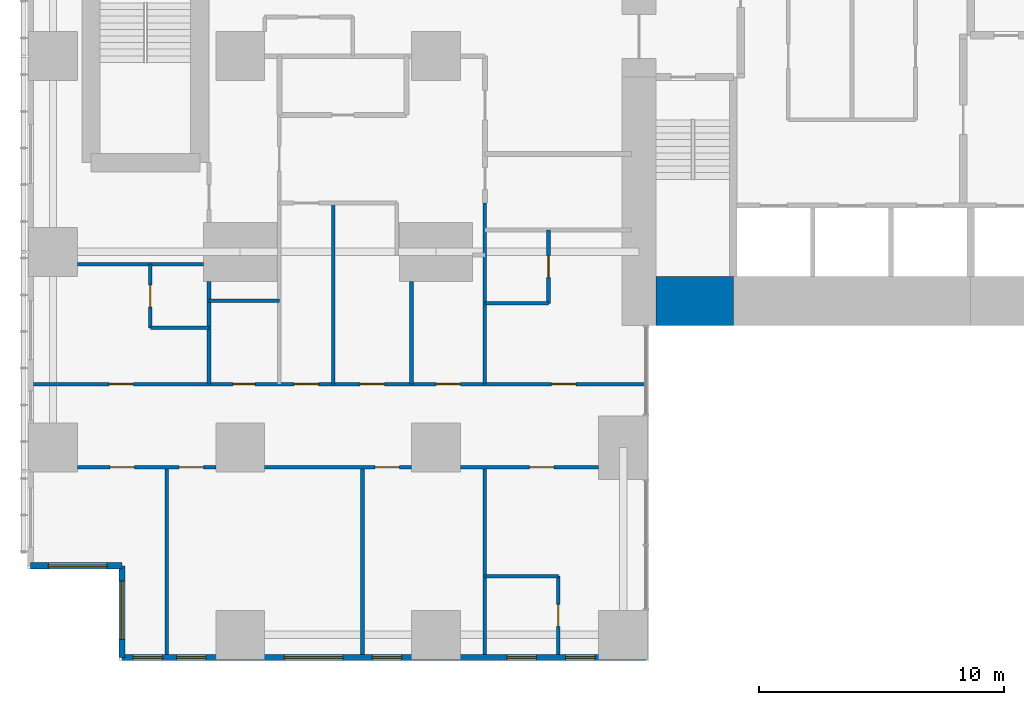
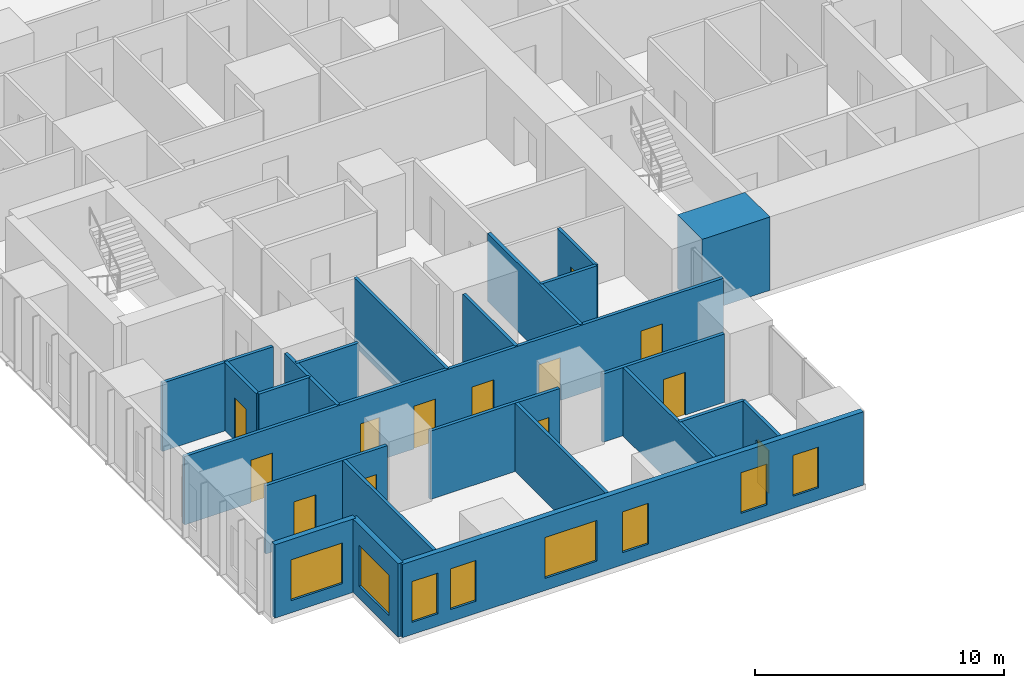
# One storey, part 12 of 21: 23 walls, 13 doors, 8 windows, 21 openings.
"""IFC4 building model written with IfcOpenShell, lengths in metres."""

from ifc_helpers import new_model, si_unit, direction, frame, frame_2d, origin, place, context, subcontext, project, spatial, rectangle, extrude, material, layer, layer_set, type_object, element, fill, save


model = new_model("IFC4")

# Units and contexts
model_context = context("Model", 3, precision=1e-05, world=origin(), true_north=direction((0.0, 1.0)))
body_context = subcontext(model_context, "Body", "Model", "MODEL_VIEW")
ifc_project = project(units=[si_unit("LENGTHUNIT", "METRE"), si_unit("AREAUNIT", "SQUARE_METRE"), si_unit("VOLUMEUNIT", "CUBIC_METRE"), si_unit("PLANEANGLEUNIT", "RADIAN"), si_unit("MASSUNIT", "GRAM", prefix="KILO")], contexts=[model_context])

# Site, building, storey
site_placement = place(None, origin())
site = spatial("IfcSite", under=ifc_project, at=site_placement, CompositionType="ELEMENT")
building_placement = place(site_placement, origin())
building = spatial("IfcBuilding", under=site, at=building_placement, Name="Cleftline Residences", CompositionType="ELEMENT")
storey_placement = place(building_placement, frame((0.0, 0.0, 65.60009765625)))
storey = spatial("IfcBuildingStorey", under=building, at=storey_placement, Name="L16", CompositionType="ELEMENT", Elevation=65.60009765625)

# Wall
ifc_material_1 = material(Name="Concrete B70", Category="concrete")
ifc_layer_1 = layer(ifc_material_1, 2.0)
ifc_layer_set_1 = layer_set([ifc_layer_1], Name="CORE WALL 2000")
wall_type_1 = type_object("IfcWallType", Name="CORE WALL 2000", PredefinedType="SHEAR", material=ifc_layer_set_1)
wall_1_placement = place(storey_placement, frame((25.0, 14.0, 0.0), z_axis=(0.0, 0.0, 1.0), x_axis=(1.0, 0.0, 0.0)))
element("IfcWall", 1, at=wall_1_placement, inside=storey, type_object=wall_type_1, Name="Core wall S1", PredefinedType="SHEAR", context=body_context, shape_type="SweptSolid", body=[
    extrude(rectangle(XDim=3.14990234375, YDim=2.0, at=frame_2d((1.574951171875, 0.0))), origin(), (0.0, 0.0, 1.0), 3.599853515625),
])

# Wall, opening, window
ifc_material_2 = material(Name="Rendered reinforced concrete blockwork", Category="masonry")
ifc_layer_2 = layer(ifc_material_2, 0.25)
ifc_layer_set_2 = layer_set([ifc_layer_2], Name="EXTERNAL WALL 250")
wall_type_2 = type_object("IfcWallType", Name="EXTERNAL WALL 250", PredefinedType="SOLIDWALL", material=ifc_layer_set_2)
wall_2_placement = place(storey_placement, frame((-0.574951171875, 3.175048828125, 0.0), z_axis=(0.0, 0.0, 1.0), x_axis=(1.0, 0.0, 0.0)))
wall_2 = element("IfcWall", 2, at=wall_2_placement, inside=storey, type_object=wall_type_2, Name="External wall", PredefinedType="SOLIDWALL", context=body_context, shape_type="SweptSolid", body=[
    extrude(rectangle(XDim=3.75, YDim=0.25, at=frame_2d((1.875, 0.0))), origin(), (0.0, 0.0, 1.0), 3.599853515625),
])
opening_1_placement = place(wall_2_placement, frame((0.737548828125, 0.0, 0.60009765625)))
opening_1 = element("IfcOpeningElement", 3, at=opening_1_placement, cuts=wall_2, Name="Opening W6", PredefinedType="OPENING", context=body_context, shape_type="SweptSolid", body=[
    extrude(rectangle(XDim=2.39990234375, YDim=2.0, at=frame_2d((1.199951171875, 1.0))), frame((0.0, 0.135009765625, 0.0), z_axis=(0.0, -1.0, 0.0), x_axis=(1.0, 0.0, 0.0)), (0.0, 0.0, 1.0), 0.27001953125),
])
ifc_material_3 = material(Name="Aluminium frame, clear double glazing", Category="aluminium")
window_type_1 = type_object("IfcWindowType", Name="WINDOW 2400X2000", PartitioningType="DOUBLE_PANEL_VERTICAL", PredefinedType="WINDOW", material=ifc_material_3)
window_1_placement = place(opening_1_placement, origin())
window_1 = element("IfcWindow", 4, at=window_1_placement, inside=storey, type_object=window_type_1, Name="Window", OverallHeight=2.0, OverallWidth=2.39990234375, PartitioningType="SINGLE_PANEL", PredefinedType="WINDOW", context=body_context, shape_type="SweptSolid", body=[
    extrude(rectangle(XDim=2.39990234375, YDim=2.0, at=frame_2d((1.199951171875, 1.0))), frame((0.0, 0.030029296875, 0.0), z_axis=(0.0, -1.0, 0.0), x_axis=(1.0, 0.0, 0.0)), (0.0, 0.0, 1.0), 0.06005859375),
])
fill(opening_1, window_1)

wall_3_placement = place(storey_placement, frame((3.175048828125, 3.175048828125, 0.0), z_axis=(0.0, 0.0, 1.0), x_axis=(0.0, -1.0, 0.0)))
wall_3 = element("IfcWall", 5, at=wall_3_placement, inside=storey, type_object=wall_type_2, Name="External wall", PredefinedType="SOLIDWALL", context=body_context, shape_type="SweptSolid", body=[
    extrude(rectangle(XDim=3.75, YDim=0.25, at=frame_2d((1.875, 0.0))), origin(), (0.0, 0.0, 1.0), 3.599853515625),
])
opening_2_placement = place(wall_3_placement, frame((0.612548828125, 0.0, 0.60009765625)))
opening_2 = element("IfcOpeningElement", 6, at=opening_2_placement, cuts=wall_3, Name="Opening W6", PredefinedType="OPENING", context=body_context, shape_type="SweptSolid", body=[
    extrude(rectangle(XDim=2.39990234375, YDim=2.0, at=frame_2d((1.199951171875, 1.0))), frame((0.0, 0.135009765625, 0.0), z_axis=(0.0, -1.0, 0.0), x_axis=(1.0, 0.0, 0.0)), (0.0, 0.0, 1.0), 0.27001953125),
])
window_2_placement = place(opening_2_placement, origin())
window_2 = element("IfcWindow", 7, at=window_2_placement, inside=storey, type_object=window_type_1, Name="Window", OverallHeight=2.0, OverallWidth=2.39990234375, PartitioningType="SINGLE_PANEL", PredefinedType="WINDOW", context=body_context, shape_type="SweptSolid", body=[
    extrude(rectangle(XDim=2.39990234375, YDim=2.0, at=frame_2d((1.199951171875, 1.0))), frame((0.0, 0.030029296875, 0.0), z_axis=(0.0, -1.0, 0.0), x_axis=(1.0, 0.0, 0.0)), (0.0, 0.0, 1.0), 0.06005859375),
])
fill(opening_2, window_2)

# Wall, openings, windows
wall_4_placement = place(storey_placement, frame((3.175048828125, -0.574951171875, 0.0), z_axis=(0.0, 0.0, 1.0), x_axis=(1.0, 0.0, 0.0)))
wall_4 = element("IfcWall", 8, at=wall_4_placement, inside=storey, type_object=wall_type_2, Name="External wall", PredefinedType="SOLIDWALL", context=body_context, shape_type="SweptSolid", body=[
    extrude(rectangle(XDim=21.39990234375, YDim=0.25, at=frame_2d((10.699951171875, 0.0))), origin(), (0.0, 0.0, 1.0), 3.599853515625),
])
opening_3_placement = place(wall_4_placement, frame((0.449951171875, 0.0, 0.60009765625)))
opening_3 = element("IfcOpeningElement", 9, at=opening_3_placement, cuts=wall_4, Name="Opening W8", PredefinedType="OPENING", context=body_context, shape_type="SweptSolid", body=[
    extrude(rectangle(XDim=1.199951171875, YDim=2.0, at=frame_2d((0.60009765625, 1.0))), frame((0.0, 0.135009765625, 0.0), z_axis=(0.0, -1.0, 0.0), x_axis=(1.0, 0.0, 0.0)), (0.0, 0.0, 1.0), 0.27001953125),
])
opening_4_placement = place(wall_4_placement, frame((2.22509765625, 0.0, 0.60009765625)))
opening_4 = element("IfcOpeningElement", 10, at=opening_4_placement, cuts=wall_4, Name="Opening W8", PredefinedType="OPENING", context=body_context, shape_type="SweptSolid", body=[
    extrude(rectangle(XDim=1.199951171875, YDim=2.0, at=frame_2d((0.60009765625, 1.0))), frame((0.0, 0.135009765625, 0.0), z_axis=(0.0, -1.0, 0.0), x_axis=(1.0, 0.0, 0.0)), (0.0, 0.0, 1.0), 0.27001953125),
])
opening_5_placement = place(wall_4_placement, frame((6.625, 0.0, 0.60009765625)))
opening_5 = element("IfcOpeningElement", 11, at=opening_5_placement, cuts=wall_4, Name="Opening W6", PredefinedType="OPENING", context=body_context, shape_type="SweptSolid", body=[
    extrude(rectangle(XDim=2.39990234375, YDim=2.0, at=frame_2d((1.199951171875, 1.0))), frame((0.0, 0.135009765625, 0.0), z_axis=(0.0, -1.0, 0.0), x_axis=(1.0, 0.0, 0.0)), (0.0, 0.0, 1.0), 0.27001953125),
])
opening_6_placement = place(wall_4_placement, frame((10.22509765625, 0.0, 0.60009765625)))
opening_6 = element("IfcOpeningElement", 12, at=opening_6_placement, cuts=wall_4, Name="Opening W8", PredefinedType="OPENING", context=body_context, shape_type="SweptSolid", body=[
    extrude(rectangle(XDim=1.199951171875, YDim=2.0, at=frame_2d((0.60009765625, 1.0))), frame((0.0, 0.135009765625, 0.0), z_axis=(0.0, -1.0, 0.0), x_axis=(1.0, 0.0, 0.0)), (0.0, 0.0, 1.0), 0.27001953125),
])
opening_7_placement = place(wall_4_placement, frame((15.72509765625, 0.0, 0.60009765625)))
opening_7 = element("IfcOpeningElement", 13, at=opening_7_placement, cuts=wall_4, Name="Opening W8", PredefinedType="OPENING", context=body_context, shape_type="SweptSolid", body=[
    extrude(rectangle(XDim=1.199951171875, YDim=2.0, at=frame_2d((0.60009765625, 1.0))), frame((0.0, 0.135009765625, 0.0), z_axis=(0.0, -1.0, 0.0), x_axis=(1.0, 0.0, 0.0)), (0.0, 0.0, 1.0), 0.27001953125),
])
opening_8_placement = place(wall_4_placement, frame((18.125, 0.0, 0.60009765625)))
opening_8 = element("IfcOpeningElement", 14, at=opening_8_placement, cuts=wall_4, Name="Opening W8", PredefinedType="OPENING", context=body_context, shape_type="SweptSolid", body=[
    extrude(rectangle(XDim=1.199951171875, YDim=2.0, at=frame_2d((0.60009765625, 1.0))), frame((0.0, 0.135009765625, 0.0), z_axis=(0.0, -1.0, 0.0), x_axis=(1.0, 0.0, 0.0)), (0.0, 0.0, 1.0), 0.27001953125),
])
ifc_material_4 = material(Name="Aluminium frame, clear double glazing", Category="aluminium")
window_type_2 = type_object("IfcWindowType", Name="WINDOW 1200X2000", PartitioningType="DOUBLE_PANEL_VERTICAL", PredefinedType="WINDOW", material=ifc_material_4)
window_3_placement = place(opening_3_placement, origin())
window_3 = element("IfcWindow", 15, at=window_3_placement, inside=storey, type_object=window_type_2, Name="Window", OverallHeight=2.0, OverallWidth=1.199951171875, PartitioningType="SINGLE_PANEL", PredefinedType="WINDOW", context=body_context, shape_type="SweptSolid", body=[
    extrude(rectangle(XDim=1.199951171875, YDim=2.0, at=frame_2d((0.60009765625, 1.0))), frame((0.0, 0.030029296875, 0.0), z_axis=(0.0, -1.0, 0.0), x_axis=(1.0, 0.0, 0.0)), (0.0, 0.0, 1.0), 0.06005859375),
])
fill(opening_3, window_3)
window_4_placement = place(opening_4_placement, origin())
window_4 = element("IfcWindow", 16, at=window_4_placement, inside=storey, type_object=window_type_2, Name="Window", OverallHeight=2.0, OverallWidth=1.199951171875, PartitioningType="SINGLE_PANEL", PredefinedType="WINDOW", context=body_context, shape_type="SweptSolid", body=[
    extrude(rectangle(XDim=1.199951171875, YDim=2.0, at=frame_2d((0.60009765625, 1.0))), frame((0.0, 0.030029296875, 0.0), z_axis=(0.0, -1.0, 0.0), x_axis=(1.0, 0.0, 0.0)), (0.0, 0.0, 1.0), 0.06005859375),
])
fill(opening_4, window_4)
window_5_placement = place(opening_6_placement, origin())
window_5 = element("IfcWindow", 17, at=window_5_placement, inside=storey, type_object=window_type_2, Name="Window", OverallHeight=2.0, OverallWidth=1.199951171875, PartitioningType="SINGLE_PANEL", PredefinedType="WINDOW", context=body_context, shape_type="SweptSolid", body=[
    extrude(rectangle(XDim=1.199951171875, YDim=2.0, at=frame_2d((0.60009765625, 1.0))), frame((0.0, 0.030029296875, 0.0), z_axis=(0.0, -1.0, 0.0), x_axis=(1.0, 0.0, 0.0)), (0.0, 0.0, 1.0), 0.06005859375),
])
fill(opening_6, window_5)
window_6_placement = place(opening_7_placement, origin())
window_6 = element("IfcWindow", 18, at=window_6_placement, inside=storey, type_object=window_type_2, Name="Window", OverallHeight=2.0, OverallWidth=1.199951171875, PartitioningType="SINGLE_PANEL", PredefinedType="WINDOW", context=body_context, shape_type="SweptSolid", body=[
    extrude(rectangle(XDim=1.199951171875, YDim=2.0, at=frame_2d((0.60009765625, 1.0))), frame((0.0, 0.030029296875, 0.0), z_axis=(0.0, -1.0, 0.0), x_axis=(1.0, 0.0, 0.0)), (0.0, 0.0, 1.0), 0.06005859375),
])
fill(opening_7, window_6)
window_7_placement = place(opening_8_placement, origin())
window_7 = element("IfcWindow", 19, at=window_7_placement, inside=storey, type_object=window_type_2, Name="Window", OverallHeight=2.0, OverallWidth=1.199951171875, PartitioningType="SINGLE_PANEL", PredefinedType="WINDOW", context=body_context, shape_type="SweptSolid", body=[
    extrude(rectangle(XDim=1.199951171875, YDim=2.0, at=frame_2d((0.60009765625, 1.0))), frame((0.0, 0.030029296875, 0.0), z_axis=(0.0, -1.0, 0.0), x_axis=(1.0, 0.0, 0.0)), (0.0, 0.0, 1.0), 0.06005859375),
])
fill(opening_8, window_7)
window_8_placement = place(opening_5_placement, origin())
window_8 = element("IfcWindow", 20, at=window_8_placement, inside=storey, type_object=window_type_1, Name="Window", OverallHeight=2.0, OverallWidth=2.39990234375, PartitioningType="SINGLE_PANEL", PredefinedType="WINDOW", context=body_context, shape_type="SweptSolid", body=[
    extrude(rectangle(XDim=2.39990234375, YDim=2.0, at=frame_2d((1.199951171875, 1.0))), frame((0.0, 0.030029296875, 0.0), z_axis=(0.0, -1.0, 0.0), x_axis=(1.0, 0.0, 0.0)), (0.0, 0.0, 1.0), 0.06005859375),
])
fill(opening_5, window_8)

# Wall
ifc_material_5 = material(Name="Gypsum board on steel studs", Category="steel")
ifc_layer_3 = layer(ifc_material_5, 0.14990234375)
ifc_layer_set_3 = layer_set([ifc_layer_3], Name="PARTITION 150")
wall_type_3 = type_object("IfcWallType", Name="PARTITION 150", PredefinedType="PARTITIONING", material=ifc_layer_set_3)
wall_5_placement = place(storey_placement, frame((18.0, 2.75, 0.0), z_axis=(0.0, 0.0, 1.0), x_axis=(1.0, 0.0, 0.0)))
element("IfcWall", 21, at=wall_5_placement, inside=storey, type_object=wall_type_3, Name="Partition", PredefinedType="PARTITIONING", context=body_context, shape_type="SweptSolid", body=[
    extrude(rectangle(XDim=3.0, YDim=0.14990234375, at=frame_2d((1.5, 0.0))), origin(), (0.0, 0.0, 1.0), 3.349853515625),
])

# Wall, openings, doors
wall_6_placement = place(storey_placement, frame((1.35009765625, 7.199951171875, 0.0), z_axis=(0.0, 0.0, 1.0), x_axis=(1.0, 0.0, 0.0)))
wall_6 = element("IfcWall", 22, at=wall_6_placement, inside=storey, type_object=wall_type_3, Name="Partition", PredefinedType="PARTITIONING", context=body_context, shape_type="SweptSolid", body=[
    extrude(rectangle(XDim=5.64990234375, YDim=0.14990234375, at=frame_2d((2.824951171875, 0.0))), origin(), (0.0, 0.0, 1.0), 3.349853515625),
])
opening_9_placement = place(wall_6_placement, frame((1.324951171875, 0.0, 0.0)))
opening_9 = element("IfcOpeningElement", 23, at=opening_9_placement, cuts=wall_6, Name="Opening D2", PredefinedType="OPENING", context=body_context, shape_type="SweptSolid", body=[
    extrude(rectangle(XDim=1.0, YDim=2.10009765625, at=frame_2d((0.5, 1.050048828125))), frame((0.0, 0.0849609375, 0.0), z_axis=(0.0, -1.0, 0.0), x_axis=(1.0, 0.0, 0.0)), (0.0, 0.0, 1.0), 0.169921875),
])
opening_10_placement = place(wall_6_placement, frame((4.14990234375, 0.0, 0.0)))
opening_10 = element("IfcOpeningElement", 24, at=opening_10_placement, cuts=wall_6, Name="Opening D2", PredefinedType="OPENING", context=body_context, shape_type="SweptSolid", body=[
    extrude(rectangle(XDim=1.0, YDim=2.10009765625, at=frame_2d((0.5, 1.050048828125))), frame((0.0, 0.0849609375, 0.0), z_axis=(0.0, -1.0, 0.0), x_axis=(1.0, 0.0, 0.0)), (0.0, 0.0, 1.0), 0.169921875),
])
ifc_material_6 = material(Name="Timber veneer on solid core", Category="wood")
door_type_1 = type_object("IfcDoorType", Name="DOOR 1000X2100", OperationType="SINGLE_SWING_LEFT", PredefinedType="DOOR", material=ifc_material_6)
door_1_placement = place(opening_9_placement, origin())
door_1 = element("IfcDoor", 25, at=door_1_placement, inside=storey, type_object=door_type_1, Name="Door to winter garden", OperationType="SINGLE_SWING_RIGHT", OverallHeight=2.10009765625, OverallWidth=1.0, PredefinedType="DOOR", context=body_context, shape_type="SweptSolid", body=[
    extrude(rectangle(XDim=1.0, YDim=2.10009765625, at=frame_2d((0.5, 1.050048828125))), frame((0.0, 0.02490234375, 0.0), z_axis=(0.0, -1.0, 0.0), x_axis=(1.0, 0.0, 0.0)), (0.0, 0.0, 1.0), 0.050048828125),
])
fill(opening_9, door_1)
door_2_placement = place(opening_10_placement, origin())
door_2 = element("IfcDoor", 26, at=door_2_placement, inside=storey, type_object=door_type_1, Name="Door to living and dining room", OperationType="SINGLE_SWING_LEFT", OverallHeight=2.10009765625, OverallWidth=1.0, PredefinedType="DOOR", context=body_context, shape_type="SweptSolid", body=[
    extrude(rectangle(XDim=1.0, YDim=2.10009765625, at=frame_2d((0.5, 1.050048828125))), frame((0.0, 0.02490234375, 0.0), z_axis=(0.0, -1.0, 0.0), x_axis=(1.0, 0.0, 0.0)), (0.0, 0.0, 1.0), 0.050048828125),
])
fill(opening_10, door_2)

# Wall, opening, door
wall_7_placement = place(storey_placement, frame((9.0, 7.199951171875, 0.0), z_axis=(0.0, 0.0, 1.0), x_axis=(1.0, 0.0, 0.0)))
wall_7 = element("IfcWall", 27, at=wall_7_placement, inside=storey, type_object=wall_type_3, Name="Partition", PredefinedType="PARTITIONING", context=body_context, shape_type="SweptSolid", body=[
    extrude(rectangle(XDim=6.0, YDim=0.14990234375, at=frame_2d((3.0, 0.0))), origin(), (0.0, 0.0, 1.0), 3.349853515625),
])
opening_11_placement = place(wall_7_placement, frame((4.5, 0.0, 0.0)))
opening_11 = element("IfcOpeningElement", 28, at=opening_11_placement, cuts=wall_7, Name="Opening D2", PredefinedType="OPENING", context=body_context, shape_type="SweptSolid", body=[
    extrude(rectangle(XDim=1.0, YDim=2.10009765625, at=frame_2d((0.5, 1.050048828125))), frame((0.0, 0.0849609375, 0.0), z_axis=(0.0, -1.0, 0.0), x_axis=(1.0, 0.0, 0.0)), (0.0, 0.0, 1.0), 0.169921875),
])
door_3_placement = place(opening_11_placement, origin())
door_3 = element("IfcDoor", 29, at=door_3_placement, inside=storey, type_object=door_type_1, Name="Door to show kitchen", OperationType="SINGLE_SWING_LEFT", OverallHeight=2.10009765625, OverallWidth=1.0, PredefinedType="DOOR", context=body_context, shape_type="SweptSolid", body=[
    extrude(rectangle(XDim=1.0, YDim=2.10009765625, at=frame_2d((0.5, 1.050048828125))), frame((0.0, 0.02490234375, 0.0), z_axis=(0.0, -1.0, 0.0), x_axis=(1.0, 0.0, 0.0)), (0.0, 0.0, 1.0), 0.050048828125),
])
fill(opening_11, door_3)

wall_8_placement = place(storey_placement, frame((17.0, 7.199951171875, 0.0), z_axis=(0.0, 0.0, 1.0), x_axis=(1.0, 0.0, 0.0)))
wall_8 = element("IfcWall", 30, at=wall_8_placement, inside=storey, type_object=wall_type_3, Name="Partition", PredefinedType="PARTITIONING", context=body_context, shape_type="SweptSolid", body=[
    extrude(rectangle(XDim=5.64990234375, YDim=0.14990234375, at=frame_2d((2.824951171875, 0.0))), origin(), (0.0, 0.0, 1.0), 3.349853515625),
])
opening_12_placement = place(wall_8_placement, frame((2.824951171875, 0.0, 0.0)))
opening_12 = element("IfcOpeningElement", 31, at=opening_12_placement, cuts=wall_8, Name="Opening D2", PredefinedType="OPENING", context=body_context, shape_type="SweptSolid", body=[
    extrude(rectangle(XDim=1.0, YDim=2.10009765625, at=frame_2d((0.5, 1.050048828125))), frame((0.0, 0.0849609375, 0.0), z_axis=(0.0, -1.0, 0.0), x_axis=(1.0, 0.0, 0.0)), (0.0, 0.0, 1.0), 0.169921875),
])
door_4_placement = place(opening_12_placement, origin())
door_4 = element("IfcDoor", 32, at=door_4_placement, inside=storey, type_object=door_type_1, Name="Door to master bedroom", OperationType="SINGLE_SWING_LEFT", OverallHeight=2.10009765625, OverallWidth=1.0, PredefinedType="DOOR", context=body_context, shape_type="SweptSolid", body=[
    extrude(rectangle(XDim=1.0, YDim=2.10009765625, at=frame_2d((0.5, 1.050048828125))), frame((0.0, 0.02490234375, 0.0), z_axis=(0.0, -1.0, 0.0), x_axis=(1.0, 0.0, 0.0)), (0.0, 0.0, 1.0), 0.050048828125),
])
fill(opening_12, door_4)

# Wall, openings, doors
wall_9_placement = place(storey_placement, frame((-0.449951171875, 10.60009765625, 0.0), z_axis=(0.0, 0.0, 1.0), x_axis=(1.0, 0.0, 0.0)))
wall_9 = element("IfcWall", 33, at=wall_9_placement, inside=storey, type_object=wall_type_3, Name="Partition", PredefinedType="PARTITIONING", context=body_context, shape_type="SweptSolid", body=[
    extrude(rectangle(XDim=25.010986328125, YDim=0.14990234375, at=frame_2d((12.50537109375, 0.0))), origin(), (0.0, 0.0, 1.0), 3.349853515625),
])
opening_13_placement = place(wall_9_placement, frame((10.64990234375, 0.0, 0.0)))
opening_13 = element("IfcOpeningElement", 34, at=opening_13_placement, cuts=wall_9, Name="Opening D2", PredefinedType="OPENING", context=body_context, shape_type="SweptSolid", body=[
    extrude(rectangle(XDim=1.0, YDim=2.10009765625, at=frame_2d((0.5, 1.050048828125))), frame((0.0, 0.0849609375, 0.0), z_axis=(0.0, -1.0, 0.0), x_axis=(1.0, 0.0, 0.0)), (0.0, 0.0, 1.0), 0.169921875),
])
opening_14_placement = place(wall_9_placement, frame((3.08740234375, 0.0, 0.0)))
opening_14 = element("IfcOpeningElement", 35, at=opening_14_placement, cuts=wall_9, Name="Opening D2", PredefinedType="OPENING", context=body_context, shape_type="SweptSolid", body=[
    extrude(rectangle(XDim=1.0, YDim=2.10009765625, at=frame_2d((0.5, 1.050048828125))), frame((0.0, 0.0849609375, 0.0), z_axis=(0.0, -1.0, 0.0), x_axis=(1.0, 0.0, 0.0)), (0.0, 0.0, 1.0), 0.169921875),
])
opening_15_placement = place(wall_9_placement, frame((8.16259765625, 0.0, 0.0)))
opening_15 = element("IfcOpeningElement", 36, at=opening_15_placement, cuts=wall_9, Name="Opening D1", PredefinedType="OPENING", context=body_context, shape_type="SweptSolid", body=[
    extrude(rectangle(XDim=0.89990234375, YDim=2.10009765625, at=frame_2d((0.449951171875, 1.050048828125))), frame((0.0, 0.0849609375, 0.0), z_axis=(0.0, -1.0, 0.0), x_axis=(1.0, 0.0, 0.0)), (0.0, 0.0, 1.0), 0.169921875),
])
opening_16_placement = place(wall_9_placement, frame((13.35009765625, 0.0, 0.0)))
opening_16 = element("IfcOpeningElement", 37, at=opening_16_placement, cuts=wall_9, Name="Opening D2", PredefinedType="OPENING", context=body_context, shape_type="SweptSolid", body=[
    extrude(rectangle(XDim=1.0, YDim=2.10009765625, at=frame_2d((0.5, 1.050048828125))), frame((0.0, 0.0849609375, 0.0), z_axis=(0.0, -1.0, 0.0), x_axis=(1.0, 0.0, 0.0)), (0.0, 0.0, 1.0), 0.169921875),
])
opening_17_placement = place(wall_9_placement, frame((16.449951171875, 0.0, 0.0)))
opening_17 = element("IfcOpeningElement", 38, at=opening_17_placement, cuts=wall_9, Name="Opening D2", PredefinedType="OPENING", context=body_context, shape_type="SweptSolid", body=[
    extrude(rectangle(XDim=1.0, YDim=2.10009765625, at=frame_2d((0.5, 1.050048828125))), frame((0.0, 0.0849609375, 0.0), z_axis=(0.0, -1.0, 0.0), x_axis=(1.0, 0.0, 0.0)), (0.0, 0.0, 1.0), 0.169921875),
])
opening_18_placement = place(wall_9_placement, frame((21.175048828125, 0.0, 0.0)))
opening_18 = element("IfcOpeningElement", 39, at=opening_18_placement, cuts=wall_9, Name="Opening D2", PredefinedType="OPENING", context=body_context, shape_type="SweptSolid", body=[
    extrude(rectangle(XDim=1.0, YDim=2.10009765625, at=frame_2d((0.5, 1.050048828125))), frame((0.0, 0.0849609375, 0.0), z_axis=(0.0, -1.0, 0.0), x_axis=(1.0, 0.0, 0.0)), (0.0, 0.0, 1.0), 0.169921875),
])
door_5_placement = place(opening_13_placement, origin())
door_5 = element("IfcDoor", 40, at=door_5_placement, inside=storey, type_object=door_type_1, Name="Door to residence hall", OperationType="SINGLE_SWING_RIGHT", OverallHeight=2.10009765625, OverallWidth=1.0, PredefinedType="DOOR", context=body_context, shape_type="SweptSolid", body=[
    extrude(rectangle(XDim=1.0, YDim=2.10009765625, at=frame_2d((0.5, 1.050048828125))), frame((0.0, 0.02490234375, 0.0), z_axis=(0.0, -1.0, 0.0), x_axis=(1.0, 0.0, 0.0)), (0.0, 0.0, 1.0), 0.050048828125),
])
fill(opening_13, door_5)
door_6_placement = place(opening_14_placement, origin())
door_6 = element("IfcDoor", 41, at=door_6_placement, inside=storey, type_object=door_type_1, Name="Door to bedroom 2", OperationType="SINGLE_SWING_RIGHT", OverallHeight=2.10009765625, OverallWidth=1.0, PredefinedType="DOOR", context=body_context, shape_type="SweptSolid", body=[
    extrude(rectangle(XDim=1.0, YDim=2.10009765625, at=frame_2d((0.5, 1.050048828125))), frame((0.0, 0.02490234375, 0.0), z_axis=(0.0, -1.0, 0.0), x_axis=(1.0, 0.0, 0.0)), (0.0, 0.0, 1.0), 0.050048828125),
])
fill(opening_14, door_6)
door_7_placement = place(opening_16_placement, origin())
door_7 = element("IfcDoor", 42, at=door_7_placement, inside=storey, type_object=door_type_1, Name="Door to family room", OperationType="SINGLE_SWING_LEFT", OverallHeight=2.10009765625, OverallWidth=1.0, PredefinedType="DOOR", context=body_context, shape_type="SweptSolid", body=[
    extrude(rectangle(XDim=1.0, YDim=2.10009765625, at=frame_2d((0.5, 1.050048828125))), frame((0.0, 0.02490234375, 0.0), z_axis=(0.0, -1.0, 0.0), x_axis=(1.0, 0.0, 0.0)), (0.0, 0.0, 1.0), 0.050048828125),
])
fill(opening_16, door_7)
door_8_placement = place(opening_17_placement, origin())
door_8 = element("IfcDoor", 43, at=door_8_placement, inside=storey, type_object=door_type_1, Name="Door to wet kitchen", OperationType="SINGLE_SWING_LEFT", OverallHeight=2.10009765625, OverallWidth=1.0, PredefinedType="DOOR", context=body_context, shape_type="SweptSolid", body=[
    extrude(rectangle(XDim=1.0, YDim=2.10009765625, at=frame_2d((0.5, 1.050048828125))), frame((0.0, 0.02490234375, 0.0), z_axis=(0.0, -1.0, 0.0), x_axis=(1.0, 0.0, 0.0)), (0.0, 0.0, 1.0), 0.050048828125),
])
fill(opening_17, door_8)
door_9_placement = place(opening_18_placement, origin())
door_9 = element("IfcDoor", 44, at=door_9_placement, inside=storey, type_object=door_type_1, Name="Door to bedroom 3", OperationType="SINGLE_SWING_LEFT", OverallHeight=2.10009765625, OverallWidth=1.0, PredefinedType="DOOR", context=body_context, shape_type="SweptSolid", body=[
    extrude(rectangle(XDim=1.0, YDim=2.10009765625, at=frame_2d((0.5, 1.050048828125))), frame((0.0, 0.02490234375, 0.0), z_axis=(0.0, -1.0, 0.0), x_axis=(1.0, 0.0, 0.0)), (0.0, 0.0, 1.0), 0.050048828125),
])
fill(opening_18, door_9)
ifc_material_7 = material(Name="Timber veneer on solid core", Category="wood")
door_type_2 = type_object("IfcDoorType", Name="DOOR 900X2100", OperationType="SINGLE_SWING_LEFT", PredefinedType="DOOR", material=ifc_material_7)
door_10_placement = place(opening_15_placement, origin())
door_10 = element("IfcDoor", 45, at=door_10_placement, inside=storey, type_object=door_type_2, Name="Door to linen store", OperationType="SINGLE_SWING_RIGHT", OverallHeight=2.10009765625, OverallWidth=0.89990234375, PredefinedType="DOOR", context=body_context, shape_type="SweptSolid", body=[
    extrude(rectangle(XDim=0.89990234375, YDim=2.10009765625, at=frame_2d((0.449951171875, 1.050048828125))), frame((0.0, 0.02490234375, 0.0), z_axis=(0.0, -1.0, 0.0), x_axis=(1.0, 0.0, 0.0)), (0.0, 0.0, 1.0), 0.050048828125),
])
fill(opening_15, door_10)

# Walls
wall_10_placement = place(storey_placement, frame((4.324951171875, 12.89990234375, 0.0), z_axis=(0.0, 0.0, 1.0), x_axis=(1.0, 0.0, 0.0)))
element("IfcWall", 46, at=wall_10_placement, inside=storey, type_object=wall_type_3, Name="Partition", PredefinedType="PARTITIONING", context=body_context, shape_type="SweptSolid", body=[
    extrude(rectangle(XDim=2.400146484375, YDim=0.14990234375, at=frame_2d((1.2001953125, 0.0))), origin(), (0.0, 0.0, 1.0), 3.349853515625),
])
wall_11_placement = place(storey_placement, frame((18.0, 13.89990234375, 0.0), z_axis=(0.0, 0.0, 1.0), x_axis=(1.0, 0.0, 0.0)))
element("IfcWall", 47, at=wall_11_placement, inside=storey, type_object=wall_type_3, Name="Partition", PredefinedType="PARTITIONING", context=body_context, shape_type="SweptSolid", body=[
    extrude(rectangle(XDim=2.60009765625, YDim=0.14990234375, at=frame_2d((1.300048828125, 0.0))), origin(), (0.0, 0.0, 1.0), 3.349853515625),
])
wall_12_placement = place(storey_placement, frame((6.72509765625, 14.0, 0.0), z_axis=(0.0, 0.0, 1.0), x_axis=(1.0, 0.0, 0.0)))
element("IfcWall", 48, at=wall_12_placement, inside=storey, type_object=wall_type_3, Name="Partition", PredefinedType="PARTITIONING", context=body_context, shape_type="SweptSolid", body=[
    extrude(rectangle(XDim=2.875, YDim=0.14990234375, at=frame_2d((1.4375, 0.0))), origin(), (0.0, 0.0, 1.0), 3.349853515625),
])
wall_13_placement = place(storey_placement, frame((1.35009765625, 15.5, 0.0), z_axis=(0.0, 0.0, 1.0), x_axis=(1.0, 0.0, 0.0)))
element("IfcWall", 49, at=wall_13_placement, inside=storey, type_object=wall_type_3, Name="Partition", PredefinedType="PARTITIONING", context=body_context, shape_type="SweptSolid", body=[
    extrude(rectangle(XDim=5.14990234375, YDim=0.14990234375, at=frame_2d((2.574951171875, 0.0))), origin(), (0.0, 0.0, 1.0), 3.349853515625),
])

# Wall, opening, door
wall_14_placement = place(storey_placement, frame((4.324951171875, 12.89990234375, 0.0), z_axis=(0.0, 0.0, 1.0), x_axis=(0.0, 1.0, 0.0)))
wall_14 = element("IfcWall", 50, at=wall_14_placement, inside=storey, type_object=wall_type_3, Name="Partition", PredefinedType="PARTITIONING", context=body_context, shape_type="SweptSolid", body=[
    extrude(rectangle(XDim=2.60009765625, YDim=0.14990234375, at=frame_2d((1.300048828125, 0.0))), origin(), (0.0, 0.0, 1.0), 3.349853515625),
])
opening_19_placement = place(wall_14_placement, frame((0.85009765625, 0.0, 0.0)))
opening_19 = element("IfcOpeningElement", 51, at=opening_19_placement, cuts=wall_14, Name="Opening D1", PredefinedType="OPENING", context=body_context, shape_type="SweptSolid", body=[
    extrude(rectangle(XDim=0.89990234375, YDim=2.10009765625, at=frame_2d((0.449951171875, 1.050048828125))), frame((0.0, 0.0849609375, 0.0), z_axis=(0.0, -1.0, 0.0), x_axis=(1.0, 0.0, 0.0)), (0.0, 0.0, 1.0), 0.169921875),
])
door_11_placement = place(opening_19_placement, origin())
door_11 = element("IfcDoor", 52, at=door_11_placement, inside=storey, type_object=door_type_2, Name="Door to en-suite bathroom 2", OperationType="SINGLE_SWING_LEFT", OverallHeight=2.10009765625, OverallWidth=0.89990234375, PredefinedType="DOOR", context=body_context, shape_type="SweptSolid", body=[
    extrude(rectangle(XDim=0.89990234375, YDim=2.10009765625, at=frame_2d((0.449951171875, 1.050048828125))), frame((0.0, 0.02490234375, 0.0), z_axis=(0.0, -1.0, 0.0), x_axis=(1.0, 0.0, 0.0)), (0.0, 0.0, 1.0), 0.050048828125),
])
fill(opening_19, door_11)

# Walls
wall_15_placement = place(storey_placement, frame((5.0, -0.449951171875, 0.0), z_axis=(0.0, 0.0, 1.0), x_axis=(0.0, 1.0, 0.0)))
element("IfcWall", 53, at=wall_15_placement, inside=storey, type_object=wall_type_3, Name="Partition", PredefinedType="PARTITIONING", context=body_context, shape_type="SweptSolid", body=[
    extrude(rectangle(XDim=7.64990234375, YDim=0.14990234375, at=frame_2d((3.824951171875, 0.0))), origin(), (0.0, 0.0, 1.0), 3.349853515625),
])
wall_16_placement = place(storey_placement, frame((6.72509765625, 10.60009765625, 0.0), z_axis=(0.0, 0.0, 1.0), x_axis=(0.0, 1.0, 0.0)))
element("IfcWall", 54, at=wall_16_placement, inside=storey, type_object=wall_type_3, Name="Partition", PredefinedType="PARTITIONING", context=body_context, shape_type="SweptSolid", body=[
    extrude(rectangle(XDim=4.199951171875, YDim=0.14990234375, at=frame_2d((2.10009765625, 0.0))), origin(), (0.0, 0.0, 1.0), 3.349853515625),
])
wall_17_placement = place(storey_placement, frame((11.800048828125, 10.60009765625, 0.0), z_axis=(0.0, 0.0, 1.0), x_axis=(0.0, 1.0, 0.0)))
element("IfcWall", 55, at=wall_17_placement, inside=storey, type_object=wall_type_3, Name="Partition", PredefinedType="PARTITIONING", context=body_context, shape_type="SweptSolid", body=[
    extrude(rectangle(XDim=7.39990234375, YDim=0.14990234375, at=frame_2d((3.699951171875, 0.0))), origin(), (0.0, 0.0, 1.0), 3.349853515625),
])
wall_18_placement = place(storey_placement, frame((13.0, -0.449951171875, 0.0), z_axis=(0.0, 0.0, 1.0), x_axis=(0.0, 1.0, 0.0)))
element("IfcWall", 56, at=wall_18_placement, inside=storey, type_object=wall_type_3, Name="Partition", PredefinedType="PARTITIONING", context=body_context, shape_type="SweptSolid", body=[
    extrude(rectangle(XDim=7.64990234375, YDim=0.14990234375, at=frame_2d((3.824951171875, 0.0))), origin(), (0.0, 0.0, 1.0), 3.349853515625),
])
wall_19_placement = place(storey_placement, frame((15.0, 10.60009765625, 0.0), z_axis=(0.0, 0.0, 1.0), x_axis=(0.0, 1.0, 0.0)))
element("IfcWall", 57, at=wall_19_placement, inside=storey, type_object=wall_type_3, Name="Partition", PredefinedType="PARTITIONING", context=body_context, shape_type="SweptSolid", body=[
    extrude(rectangle(XDim=4.199951171875, YDim=0.14990234375, at=frame_2d((2.10009765625, 0.0))), origin(), (0.0, 0.0, 1.0), 3.349853515625),
])
wall_20_placement = place(storey_placement, frame((18.0, -0.449951171875, 0.0), z_axis=(0.0, 0.0, 1.0), x_axis=(0.0, 1.0, 0.0)))
element("IfcWall", 58, at=wall_20_placement, inside=storey, type_object=wall_type_3, Name="Partition", PredefinedType="PARTITIONING", context=body_context, shape_type="SweptSolid", body=[
    extrude(rectangle(XDim=7.64990234375, YDim=0.14990234375, at=frame_2d((3.824951171875, 0.0))), origin(), (0.0, 0.0, 1.0), 3.349853515625),
])
wall_21_placement = place(storey_placement, frame((18.0, 10.60009765625, 0.0), z_axis=(0.0, 0.0, 1.0), x_axis=(0.0, 1.0, 0.0)))
element("IfcWall", 59, at=wall_21_placement, inside=storey, type_object=wall_type_3, Name="Partition", PredefinedType="PARTITIONING", context=body_context, shape_type="SweptSolid", body=[
    extrude(rectangle(XDim=7.39990234375, YDim=0.14990234375, at=frame_2d((3.699951171875, 0.0))), origin(), (0.0, 0.0, 1.0), 3.349853515625),
])

# Wall, opening, door
wall_22_placement = place(storey_placement, frame((20.60009765625, 13.89990234375, 0.0), z_axis=(0.0, 0.0, 1.0), x_axis=(0.0, 1.0, 0.0)))
wall_22 = element("IfcWall", 60, at=wall_22_placement, inside=storey, type_object=wall_type_3, Name="Partition", PredefinedType="PARTITIONING", context=body_context, shape_type="SweptSolid", body=[
    extrude(rectangle(XDim=3.0, YDim=0.14990234375, at=frame_2d((1.5, 0.0))), origin(), (0.0, 0.0, 1.0), 3.349853515625),
])
opening_20_placement = place(wall_22_placement, frame((1.050048828125, 0.0, 0.0)))
opening_20 = element("IfcOpeningElement", 61, at=opening_20_placement, cuts=wall_22, Name="Opening D1", PredefinedType="OPENING", context=body_context, shape_type="SweptSolid", body=[
    extrude(rectangle(XDim=0.89990234375, YDim=2.10009765625, at=frame_2d((0.449951171875, 1.050048828125))), frame((0.0, 0.0849609375, 0.0), z_axis=(0.0, -1.0, 0.0), x_axis=(1.0, 0.0, 0.0)), (0.0, 0.0, 1.0), 0.169921875),
])
door_12_placement = place(opening_20_placement, origin())
door_12 = element("IfcDoor", 62, at=door_12_placement, inside=storey, type_object=door_type_2, Name="Door to en-suite bathroom 3", OperationType="SINGLE_SWING_LEFT", OverallHeight=2.10009765625, OverallWidth=0.89990234375, PredefinedType="DOOR", context=body_context, shape_type="SweptSolid", body=[
    extrude(rectangle(XDim=0.89990234375, YDim=2.10009765625, at=frame_2d((0.449951171875, 1.050048828125))), frame((0.0, 0.02490234375, 0.0), z_axis=(0.0, -1.0, 0.0), x_axis=(1.0, 0.0, 0.0)), (0.0, 0.0, 1.0), 0.050048828125),
])
fill(opening_20, door_12)

wall_23_placement = place(storey_placement, frame((21.0, -0.449951171875, 0.0), z_axis=(0.0, 0.0, 1.0), x_axis=(0.0, 1.0, 0.0)))
wall_23 = element("IfcWall", 63, at=wall_23_placement, inside=storey, type_object=wall_type_3, Name="Partition", PredefinedType="PARTITIONING", context=body_context, shape_type="SweptSolid", body=[
    extrude(rectangle(XDim=3.199951171875, YDim=0.14990234375, at=frame_2d((1.60009765625, 0.0))), origin(), (0.0, 0.0, 1.0), 3.349853515625),
])
opening_21_placement = place(wall_23_placement, frame((1.14990234375, 0.0, 0.0)))
opening_21 = element("IfcOpeningElement", 64, at=opening_21_placement, cuts=wall_23, Name="Opening D1", PredefinedType="OPENING", context=body_context, shape_type="SweptSolid", body=[
    extrude(rectangle(XDim=0.89990234375, YDim=2.10009765625, at=frame_2d((0.449951171875, 1.050048828125))), frame((0.0, 0.0849609375, 0.0), z_axis=(0.0, -1.0, 0.0), x_axis=(1.0, 0.0, 0.0)), (0.0, 0.0, 1.0), 0.169921875),
])
door_13_placement = place(opening_21_placement, origin())
door_13 = element("IfcDoor", 65, at=door_13_placement, inside=storey, type_object=door_type_2, Name="Door to master bathroom", OperationType="SINGLE_SWING_LEFT", OverallHeight=2.10009765625, OverallWidth=0.89990234375, PredefinedType="DOOR", context=body_context, shape_type="SweptSolid", body=[
    extrude(rectangle(XDim=0.89990234375, YDim=2.10009765625, at=frame_2d((0.449951171875, 1.050048828125))), frame((0.0, 0.02490234375, 0.0), z_axis=(0.0, -1.0, 0.0), x_axis=(1.0, 0.0, 0.0)), (0.0, 0.0, 1.0), 0.050048828125),
])
fill(opening_21, door_13)

save(model, "model.ifc")
